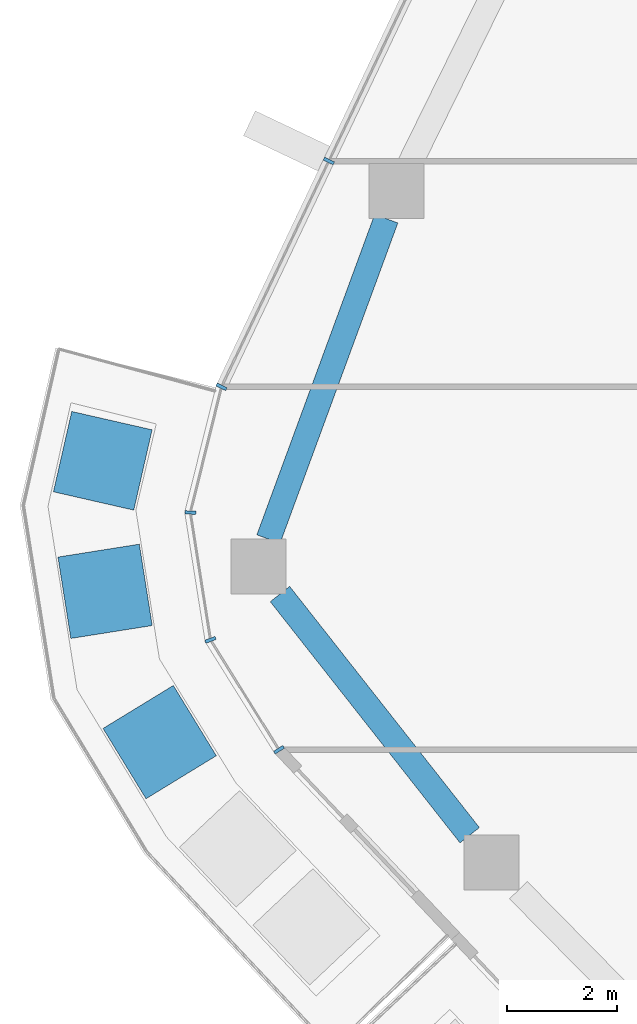
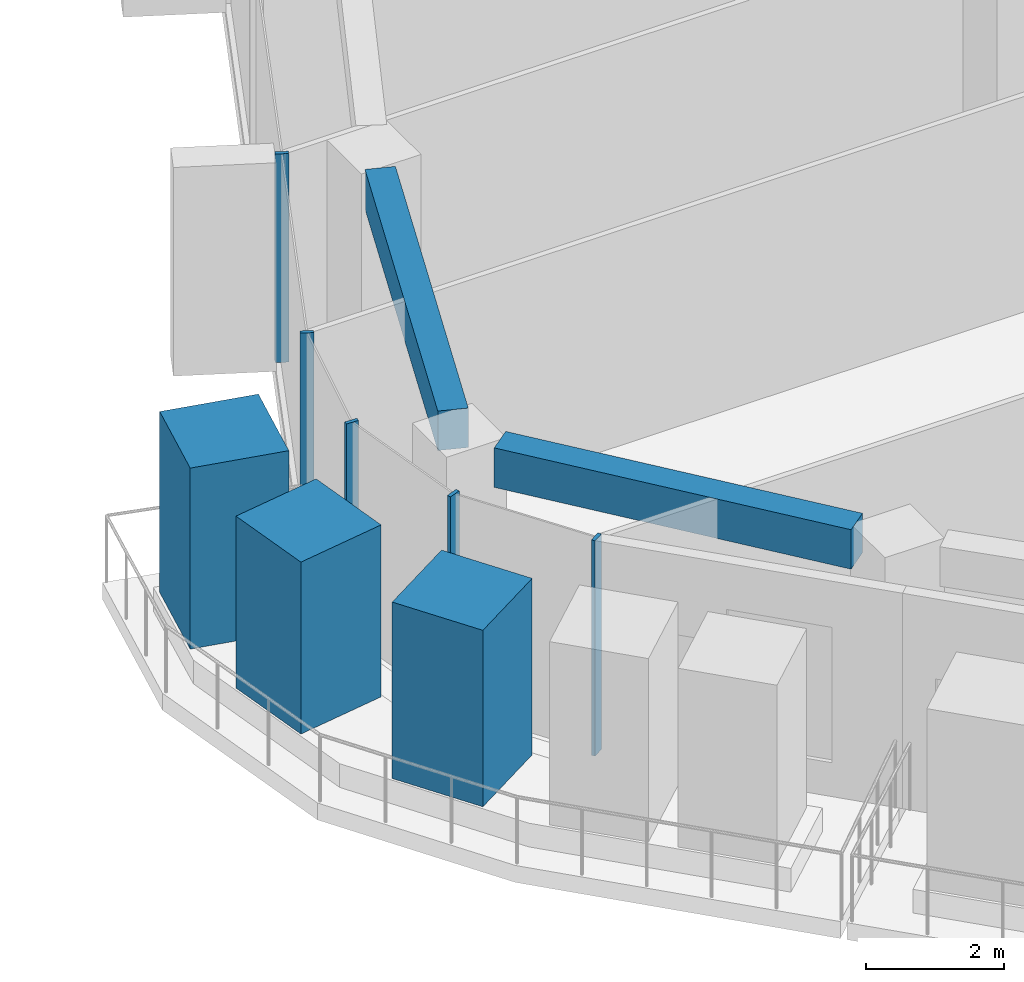
# One storey, part 3 of 24: 8 members, 2 beams, 2 elements without a shape of their own.
"""IFC4 building model written with IfcOpenShell, lengths in metres."""

from ifc_helpers import new_model, si_unit, direction, frame, origin, origin_2d, place, context, subcontext, project, spatial, rectangle, extrude, material, layer, layer_set, material_profile, profile_set, type_object, element, aggregate, save


model = new_model("IFC4")

# Units and contexts
model_context = context("Model", 3, precision=1e-05, world=origin(), true_north=direction((0.0, 1.0)))
body_context = subcontext(model_context, "Body", "Model", "MODEL_VIEW")
ifc_project = project(units=[si_unit("LENGTHUNIT", "METRE"), si_unit("AREAUNIT", "SQUARE_METRE"), si_unit("VOLUMEUNIT", "CUBIC_METRE"), si_unit("PLANEANGLEUNIT", "RADIAN"), si_unit("MASSUNIT", "GRAM", prefix="KILO")], contexts=[model_context])

# Site, building, storey
site_placement = place(None, origin())
site = spatial("IfcSite", under=ifc_project, at=site_placement, CompositionType="ELEMENT")
building_placement = place(site_placement, origin())
building = spatial("IfcBuilding", under=site, at=building_placement, Name="Dongbaek Canopy Tower", CompositionType="ELEMENT")
storey_placement = place(building_placement, frame((0.0, 0.0, 302.60009765625)))
storey = spatial("IfcBuildingStorey", under=building, at=storey_placement, Name="L64", CompositionType="ELEMENT", Elevation=302.60009765625)

# Curtain wall, members
ifc_material_1 = material(Name="Aluminium 6063-T6 pale anodised", Category="aluminium")
ifc_layer = layer(ifc_material_1, 0.199951171875)
ifc_layer_set = layer_set([ifc_layer], Name="CW-1 unitised tower curtain wall")
curtain_wall_type = type_object("IfcCurtainWallType", Name="CW-1 unitised tower curtain wall", PredefinedType="NOTDEFINED", material=ifc_layer_set)
curtain_wall_1_placement = place(storey_placement, origin())
curtain_wall_1 = element("IfcCurtainWall", 1, at=curtain_wall_1_placement, inside=storey, type_object=curtain_wall_type, Name="CW-1 curtain wall F2.1", PredefinedType="NOTDEFINED")
ifc_material_2 = material(Name="Aluminium 6063-T6 pale anodised", Category="aluminium")
ifc_material_profile_1 = material_profile(ifc_material_2, rectangle(XDim=0.199951171875, YDim=0.06005859375, at=origin_2d()), Name="CW-1 mullion 60 x 200")
ifc_profile_set_1 = profile_set([ifc_material_profile_1], Name="Aluminium 6063-T6 pale anodised")
member_type_1 = type_object("IfcMemberType", Name="CW-1 mullion 60 x 200", PredefinedType="MULLION", material=ifc_profile_set_1)
member_1_placement = place(storey_placement, frame((-29.84619140625, 0.635498046875, 0.119873046875), z_axis=(0.0, 0.0, 1.0), x_axis=(-0.903236413866, 0.429143310174, 0.0)))
member_1 = element("IfcMember", 2, at=member_1_placement, type_object=member_type_1, Name="CW-1 mullion F2.1.7", PredefinedType="MULLION", context=body_context, shape_type="SweptSolid", body=[
    extrude(rectangle(XDim=0.199951171875, YDim=0.06005859375, at=origin_2d()), origin(), (0.0, 0.0, 1.0), 3.699951171875),
])
member_2_placement = place(storey_placement, frame((-31.79931640625, -3.47509765625, 0.119873046875), z_axis=(0.0, 0.0, 1.0), x_axis=(-0.903236413866, 0.429143310174, 0.0)))
member_2 = element("IfcMember", 3, at=member_2_placement, type_object=member_type_1, Name="CW-1 mullion F2.1.8", PredefinedType="MULLION", context=body_context, shape_type="SweptSolid", body=[
    extrude(rectangle(XDim=0.199951171875, YDim=0.06005859375, at=origin_2d()), origin(), (0.0, 0.0, 1.0), 3.699951171875),
])
aggregate(curtain_wall_1, [member_1, member_2])

curtain_wall_2_placement = place(storey_placement, origin())
curtain_wall_2 = element("IfcCurtainWall", 4, at=curtain_wall_2_placement, inside=storey, type_object=curtain_wall_type, Name="CW-1 curtain wall K3.1", PredefinedType="NOTDEFINED")
member_3_placement = place(storey_placement, frame((-32.366943359375, -5.761962890625, 0.0), z_axis=(0.0, 0.0, 1.0), x_axis=(-0.999071404332, 0.043085137172, 0.0)))
member_3 = element("IfcMember", 5, at=member_3_placement, type_object=member_type_1, Name="CW-1 mullion K3.1.2", PredefinedType="MULLION", context=body_context, shape_type="SweptSolid", body=[
    extrude(rectangle(XDim=0.199951171875, YDim=0.06005859375, at=origin_2d()), origin(), (0.0, 0.0, 1.0), 3.81982421875),
])
member_4_placement = place(storey_placement, frame((-32.0, -8.0791015625, 0.0), z_axis=(0.0, 0.0, 1.0), x_axis=(-0.936828063749, -0.349790192789, 0.0)))
member_4 = element("IfcMember", 6, at=member_4_placement, type_object=member_type_1, Name="CW-1 mullion K3.1.3", PredefinedType="MULLION", context=body_context, shape_type="SweptSolid", body=[
    extrude(rectangle(XDim=0.199951171875, YDim=0.06005859375, at=origin_2d()), origin(), (0.0, 0.0, 1.0), 3.81982421875),
])
member_5_placement = place(storey_placement, frame((-30.753173828125, -10.07861328125, 0.0), z_axis=(0.0, 0.0, 1.0), x_axis=(-0.848543418091, -0.529125757844, 0.0)))
member_5 = element("IfcMember", 7, at=member_5_placement, type_object=member_type_1, Name="CW-1 mullion K3.1.4", PredefinedType="MULLION", context=body_context, shape_type="SweptSolid", body=[
    extrude(rectangle(XDim=0.199951171875, YDim=0.06005859375, at=origin_2d()), origin(), (0.0, 0.0, 1.0), 3.81982421875),
])
aggregate(curtain_wall_2, [member_3, member_4, member_5])

# Beams
ifc_material_3 = material(Name="Concrete C60", Category="concrete")
ifc_material_profile_2 = material_profile(ifc_material_3, rectangle(XDim=0.449951171875, YDim=0.699951171875, at=origin_2d()), Name="RC EDGE BEAM 450x700 C60")
ifc_profile_set_2 = profile_set([ifc_material_profile_2], Name="Concrete C60")
beam_type = type_object("IfcBeamType", Name="RC EDGE BEAM 450x700 C60", PredefinedType="BEAM", material=ifc_profile_set_2)
beam_1_placement = place(storey_placement, frame((-27.282470703125, -11.634033203125, 3.469970703125), z_axis=(-0.618340786972, 0.78591009102, 0.0), x_axis=(-0.78591009102, -0.618340786972, 0.0)))
element("IfcBeam", 8, at=beam_1_placement, inside=storey, type_object=beam_type, Name="EDGEBEAM:L64:07", PredefinedType="BEAM", context=body_context, shape_type="SweptSolid", body=[
    extrude(rectangle(XDim=0.449951171875, YDim=0.699951171875, at=origin_2d()), origin(), (0.0, 0.0, 1.0), 5.58447265625),
])
beam_2_placement = place(storey_placement, frame((-30.945068359375, -6.2451171875, 3.469970703125), z_axis=(0.345138950659, 0.938551599401, 0.0), x_axis=(-0.938551599401, 0.345138950659, 0.0)))
element("IfcBeam", 9, at=beam_2_placement, inside=storey, type_object=beam_type, Name="EDGEBEAM:L64:08", PredefinedType="BEAM", context=body_context, shape_type="SweptSolid", body=[
    extrude(rectangle(XDim=0.449951171875, YDim=0.699951171875, at=origin_2d()), origin(), (0.0, 0.0, 1.0), 6.212890625),
])

# Members
ifc_material_4 = material(Name="Concrete C40/50 planter mass with planting", Category="concrete")
ifc_material_profile_3 = material_profile(ifc_material_4, rectangle(XDim=1.5, YDim=1.5, at=origin_2d()), Name="Terrace PLANTER shrub mass 1500 x 1500")
ifc_profile_set_3 = profile_set([ifc_material_profile_3], Name="Concrete C40/50 planter mass with planting")
member_type_2 = type_object("IfcMemberType", Name="Terrace PLANTER shrub mass 1500 x 1500", PredefinedType="USERDEFINED", material=ifc_profile_set_3)
member_6_placement = place(storey_placement, frame((-33.960205078125, -4.820556640625, 0.419921875), z_axis=(0.0, 0.0, 1.0), x_axis=(-0.974954789681, 0.222403143141, 0.0)))
element("IfcMember", 10, at=member_6_placement, inside=storey, type_object=member_type_2, Name="Planter shrubs L64 7.1", ObjectType="PLANTER", PredefinedType="USERDEFINED", context=body_context, shape_type="SweptSolid", body=[
    extrude(rectangle(XDim=1.5, YDim=1.5, at=origin_2d()), origin(), (0.0, 0.0, 1.0), 3.2099609375),
])
member_7_placement = place(storey_placement, frame((-33.91796875, -7.195556640625, 0.419921875), z_axis=(0.0, 0.0, 1.0), x_axis=(-0.987681347325, -0.156478612427, 0.0)))
element("IfcMember", 11, at=member_7_placement, inside=storey, type_object=member_type_2, Name="Planter shrubs L64 7.2", ObjectType="PLANTER", PredefinedType="USERDEFINED", context=body_context, shape_type="SweptSolid", body=[
    extrude(rectangle(XDim=1.5, YDim=1.5, at=origin_2d()), origin(), (0.0, 0.0, 1.0), 3.050048828125),
])
member_8_placement = place(storey_placement, frame((-32.924560546875, -9.939697265625, 0.419921875), z_axis=(0.0, 0.0, 1.0), x_axis=(-0.853140317648, -0.521681510506, 0.0)))
element("IfcMember", 12, at=member_8_placement, inside=storey, type_object=member_type_2, Name="Planter shrubs L64 7.3", ObjectType="PLANTER", PredefinedType="USERDEFINED", context=body_context, shape_type="SweptSolid", body=[
    extrude(rectangle(XDim=1.5, YDim=1.5, at=origin_2d()), origin(), (0.0, 0.0, 1.0), 3.1298828125),
])

save(model, "model.ifc")
